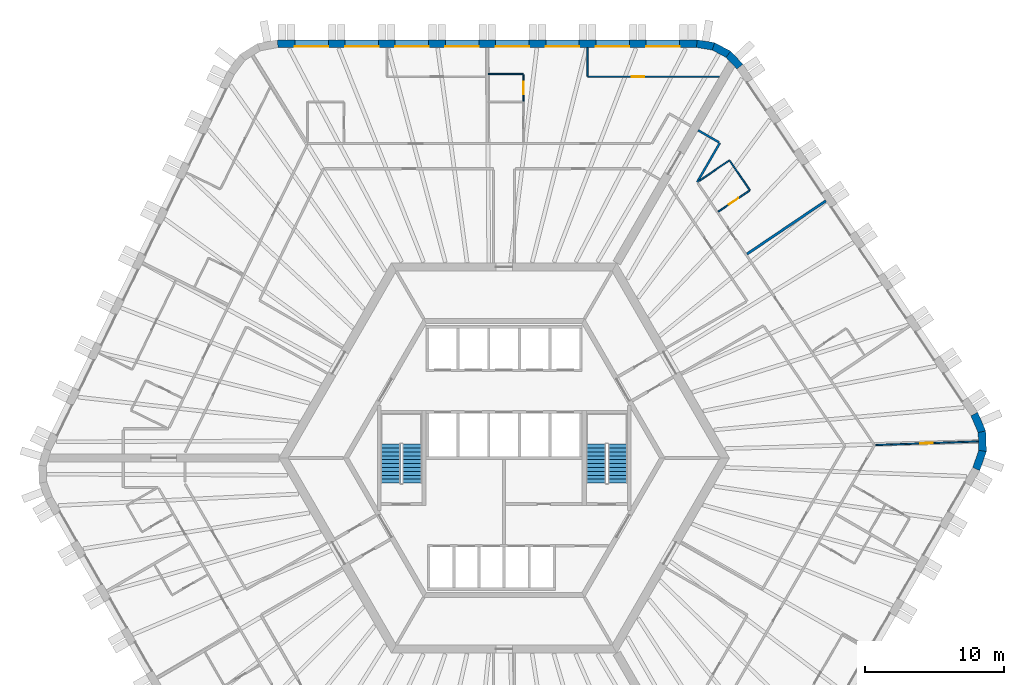
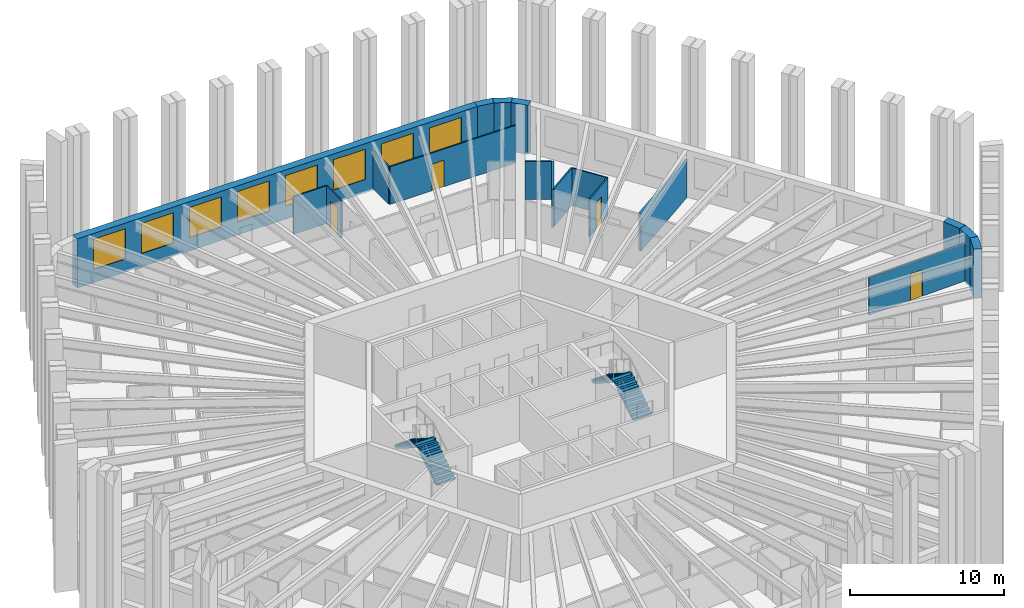
# One storey, part 10 of 12: 18 walls, 8 windows, 4 doors, 4 stair flights, 12 openings, 2 elements without a shape of their own.
"""IFC4 building model written with IfcOpenShell, lengths in metres."""

from ifc_helpers import new_model, si_unit, direction, frame, frame_2d, origin, place, context, subcontext, project, spatial, polyline, rectangle, outline, extrude, material, layer, layer_set, type_object, element, fill, aggregate, save


model = new_model("IFC4")

# Units and contexts
model_context = context("Model", 3, precision=1e-05, world=origin(), true_north=direction((0.0, 1.0)))
body_context = subcontext(model_context, "Body", "Model", "MODEL_VIEW")
ifc_project = project(units=[si_unit("LENGTHUNIT", "METRE"), si_unit("AREAUNIT", "SQUARE_METRE"), si_unit("VOLUMEUNIT", "CUBIC_METRE"), si_unit("PLANEANGLEUNIT", "RADIAN"), si_unit("MASSUNIT", "GRAM", prefix="KILO")], contexts=[model_context])

# Site, building, storey
site_placement = place(None, origin())
site = spatial("IfcSite", under=ifc_project, at=site_placement, CompositionType="ELEMENT")
building_placement = place(site_placement, origin())
building = spatial("IfcBuilding", under=site, at=building_placement, Name="Tarnside Tower", CompositionType="ELEMENT")
storey_placement = place(building_placement, frame((0.0, 0.0, 49.199951171875)))
storey = spatial("IfcBuildingStorey", under=building, at=storey_placement, Name="L09", CompositionType="ELEMENT", Elevation=49.199951171875)

# Walls
ifc_material_1 = material(Name="Gypsum board partition on steel studs", Category="steel")
ifc_layer_1 = layer(ifc_material_1, 0.10009765625)
ifc_layer_set_1 = layer_set([ifc_layer_1], Name="Bathroom wall 100")
wall_type_1 = type_object("IfcWallType", Name="Bathroom wall 100", PredefinedType="PARTITIONING", material=ifc_layer_set_1)
wall_1_placement = place(storey_placement, frame((13.992919921875, 19.886474609375, 0.0), z_axis=(0.0, 0.0, 1.0), x_axis=(0.829009051057, 0.559235186005, 0.0)))
element("IfcWall", 1, at=wall_1_placement, inside=storey, type_object=wall_type_1, Name="Bathroom wall 02151", PredefinedType="PARTITIONING", context=body_context, shape_type="SweptSolid", body=[
    extrude(rectangle(XDim=2.62890625, YDim=0.10009765625, at=frame_2d((1.314453125, 0.0))), origin(), (0.0, 0.0, 1.0), 2.98779296875),
])
wall_2_placement = place(storey_placement, frame((16.200439453125, 21.315185546875, 0.0), z_axis=(0.0, 0.0, 1.0), x_axis=(0.559155442782, -0.829062838878, 0.0)))
element("IfcWall", 2, at=wall_2_placement, inside=storey, type_object=wall_type_1, Name="Bathroom wall 02152", PredefinedType="PARTITIONING", context=body_context, shape_type="SweptSolid", body=[
    extrude(rectangle(XDim=2.5498046875, YDim=0.10009765625, at=frame_2d((1.27490234375, 0.0))), origin(), (0.0, 0.0, 1.0), 2.98779296875),
])

# Wall, opening, door
wall_3_placement = place(storey_placement, frame((17.5849609375, 19.173095703125, 0.0), z_axis=(0.0, 0.0, 1.0), x_axis=(-0.82904753069, -0.559178139645, 0.0)))
wall_3 = element("IfcWall", 3, at=wall_3_placement, inside=storey, type_object=wall_type_1, Name="Bathroom wall 02153", PredefinedType="PARTITIONING", context=body_context, shape_type="SweptSolid", body=[
    extrude(rectangle(XDim=2.675048828125, YDim=0.10009765625, at=frame_2d((1.33740234375, 0.0))), origin(), (0.0, 0.0, 1.0), 2.98779296875),
])
opening_1_placement = place(wall_3_placement, frame((0.949951171875, 0.0, 0.0)))
opening_1 = element("IfcOpeningElement", 4, at=opening_1_placement, cuts=wall_3, Name="Opening D-B1", PredefinedType="OPENING", context=body_context, shape_type="SweptSolid", body=[
    extrude(rectangle(XDim=0.800048828125, YDim=2.10009765625, at=frame_2d((0.39990234375, 1.050048828125))), frame((0.0, 0.06005859375, 0.0), z_axis=(0.0, -1.0, 0.0), x_axis=(1.0, 0.0, 0.0)), (0.0, 0.0, 1.0), 0.1201171875),
])
ifc_material_2 = material(Name="Timber door leaf", Category="wood")
door_type_1 = type_object("IfcDoorType", Name="Bathroom door 800", OperationType="NOTDEFINED", PredefinedType="DOOR", material=ifc_material_2)
door_1_placement = place(opening_1_placement, origin())
door_1 = element("IfcDoor", 5, at=door_1_placement, inside=storey, type_object=door_type_1, Name="Bathroom door 02040", OperationType="SINGLE_SWING_RIGHT", OverallHeight=2.10009765625, OverallWidth=0.800048828125, PredefinedType="DOOR", context=body_context, shape_type="SweptSolid", body=[
    extrude(rectangle(XDim=0.800048828125, YDim=2.10009765625, at=frame_2d((0.39990234375, 1.050048828125))), frame((0.0, 0.02490234375, 0.0), z_axis=(0.0, -1.0, 0.0), x_axis=(1.0, 0.0, 0.0)), (0.0, 0.0, 1.0), 0.050048828125),
])
fill(opening_1, door_1)

# Walls
ifc_layer_2 = layer(ifc_material_1, 0.14990234375)
ifc_layer_set_2 = layer_set([ifc_layer_2], Name="Corridor wall 150 EI 60")
wall_type_2 = type_object("IfcWallType", Name="Corridor wall 150 EI 60", PredefinedType="PARTITIONING", material=ifc_layer_set_2)
wall_4_placement = place(storey_placement, frame((13.85107421875, 19.790771484375, 0.0), z_axis=(0.0, 0.0, 1.0), x_axis=(0.499986449875, 0.866033226812, 0.0)))
element("IfcWall", 6, at=wall_4_placement, inside=storey, type_object=wall_type_2, Name="Corridor wall 02059", PredefinedType="PARTITIONING", context=body_context, shape_type="SweptSolid", body=[
    extrude(rectangle(XDim=3.25537109375, YDim=0.14990234375, at=frame_2d((1.627685546875, 0.0))), origin(), (0.0, 0.0, 1.0), 2.98779296875),
])
wall_5_placement = place(storey_placement, frame((15.413818359375, 22.647705078125, 0.0), z_axis=(0.0, 0.0, 1.0), x_axis=(-0.866074815912, 0.499914405916, 0.0)))
element("IfcWall", 7, at=wall_5_placement, inside=storey, type_object=wall_type_2, Name="Corridor wall 02060", PredefinedType="PARTITIONING", context=body_context, shape_type="SweptSolid", body=[
    extrude(rectangle(XDim=1.724853515625, YDim=0.14990234375, at=frame_2d((0.8623046875, 0.0))), origin(), (0.0, 0.0, 1.0), 2.98779296875),
])
ifc_layer_3 = layer(ifc_material_1, 0.179931640625)
ifc_layer_set_3 = layer_set([ifc_layer_3], Name="Demising wall 180 EI 60")
wall_type_3 = type_object("IfcWallType", Name="Demising wall 180 EI 60", PredefinedType="PARTITIONING", material=ifc_layer_set_3)
wall_6_placement = place(storey_placement, frame((23.079345703125, 18.44873046875, 0.0), z_axis=(0.0, 0.0, 1.0), x_axis=(-0.829044361536, -0.559182838261, 0.0)))
element("IfcWall", 8, at=wall_6_placement, inside=storey, type_object=wall_type_3, Name="Demising wall 02150", PredefinedType="PARTITIONING", context=body_context, shape_type="SweptSolid", body=[
    extrude(rectangle(XDim=6.824951171875, YDim=0.179931640625, at=frame_2d((3.41259765625, 0.0))), origin(), (0.0, 0.0, 1.0), 2.98779296875),
])
ifc_layer_4 = layer(ifc_material_1, 0.10009765625)
ifc_layer_set_4 = layer_set([ifc_layer_4], Name="Partition 100")
wall_type_4 = type_object("IfcWallType", Name="Partition 100", PredefinedType="PARTITIONING", material=ifc_layer_set_4)
wall_7_placement = place(storey_placement, frame((-1.12109375, 27.550048828125, 0.0), z_axis=(0.0, 0.0, 1.0), x_axis=(1.0, 0.0, 0.0)))
element("IfcWall", 9, at=wall_7_placement, inside=storey, type_object=wall_type_4, Name="Partition wall 02073", PredefinedType="PARTITIONING", context=body_context, shape_type="SweptSolid", body=[
    extrude(rectangle(XDim=2.510009765625, YDim=0.10009765625, at=frame_2d((1.2548828125, 0.0))), origin(), (0.0, 0.0, 1.0), 2.98779296875),
])

# Wall, opening, door
wall_8_placement = place(storey_placement, frame((1.388916015625, 27.5, 0.0), z_axis=(0.0, 0.0, 1.0), x_axis=(0.0, -1.0, 0.0)))
wall_8 = element("IfcWall", 10, at=wall_8_placement, inside=storey, type_object=wall_type_4, Name="Partition wall 02074", PredefinedType="PARTITIONING", context=body_context, shape_type="SweptSolid", body=[
    extrude(rectangle(XDim=1.89990234375, YDim=0.10009765625, at=frame_2d((0.949951171875, 0.0))), origin(), (0.0, 0.0, 1.0), 2.98779296875),
])
opening_2_placement = place(wall_8_placement, frame((0.5, 0.0, 0.0)))
opening_2 = element("IfcOpeningElement", 11, at=opening_2_placement, cuts=wall_8, Name="Opening D-I1", PredefinedType="OPENING", context=body_context, shape_type="SweptSolid", body=[
    extrude(rectangle(XDim=0.89990234375, YDim=2.10009765625, at=frame_2d((0.449951171875, 1.050048828125))), frame((0.0, 0.06005859375, 0.0), z_axis=(0.0, -1.0, 0.0), x_axis=(1.0, 0.0, 0.0)), (0.0, 0.0, 1.0), 0.1201171875),
])
door_type_2 = type_object("IfcDoorType", Name="Internal door 900", OperationType="NOTDEFINED", PredefinedType="DOOR", material=ifc_material_2)
door_2_placement = place(opening_2_placement, origin())
door_2 = element("IfcDoor", 12, at=door_2_placement, inside=storey, type_object=door_type_2, Name="Internal door 02003", OperationType="SINGLE_SWING_RIGHT", OverallHeight=2.10009765625, OverallWidth=0.89990234375, PredefinedType="DOOR", context=body_context, shape_type="SweptSolid", body=[
    extrude(rectangle(XDim=0.89990234375, YDim=2.10009765625, at=frame_2d((0.449951171875, 1.050048828125))), frame((0.0, 0.02490234375, 0.0), z_axis=(0.0, -1.0, 0.0), x_axis=(1.0, 0.0, 0.0)), (0.0, 0.0, 1.0), 0.050048828125),
])
fill(opening_2, door_2)

wall_9_placement = place(storey_placement, frame((15.444091796875, 27.35009765625, 0.0), z_axis=(0.0, 0.0, 1.0), x_axis=(-1.0, 0.0, 0.0)))
wall_9 = element("IfcWall", 13, at=wall_9_placement, inside=storey, type_object=wall_type_4, Name="Partition wall 02075", PredefinedType="PARTITIONING", context=body_context, shape_type="SweptSolid", body=[
    extrude(rectangle(XDim=9.455078125, YDim=0.10009765625, at=frame_2d((4.7275390625, 0.0))), origin(), (0.0, 0.0, 1.0), 2.98779296875),
])
opening_3_placement = place(wall_9_placement, frame((5.4052734375, 0.0, 0.0)))
opening_3 = element("IfcOpeningElement", 14, at=opening_3_placement, cuts=wall_9, Name="Opening D-I1", PredefinedType="OPENING", context=body_context, shape_type="SweptSolid", body=[
    extrude(rectangle(XDim=0.89990234375, YDim=2.10009765625, at=frame_2d((0.449951171875, 1.050048828125))), frame((0.0, 0.06005859375, 0.0), z_axis=(0.0, -1.0, 0.0), x_axis=(1.0, 0.0, 0.0)), (0.0, 0.0, 1.0), 0.1201171875),
])
door_3_placement = place(opening_3_placement, origin())
door_3 = element("IfcDoor", 15, at=door_3_placement, inside=storey, type_object=door_type_2, Name="Internal door 02004", OperationType="SINGLE_SWING_LEFT", OverallHeight=2.10009765625, OverallWidth=0.89990234375, PredefinedType="DOOR", context=body_context, shape_type="SweptSolid", body=[
    extrude(rectangle(XDim=0.89990234375, YDim=2.10009765625, at=frame_2d((0.449951171875, 1.050048828125))), frame((0.0, 0.02490234375, 0.0), z_axis=(0.0, -1.0, 0.0), x_axis=(1.0, 0.0, 0.0)), (0.0, 0.0, 1.0), 0.050048828125),
])
fill(opening_3, door_3)

# Wall
wall_10_placement = place(storey_placement, frame((5.989013671875, 27.39990234375, 0.0), z_axis=(0.0, 0.0, 1.0), x_axis=(0.0, 1.0, 0.0)))
element("IfcWall", 16, at=wall_10_placement, inside=storey, type_object=wall_type_4, Name="Partition wall 02076", PredefinedType="PARTITIONING", context=body_context, shape_type="SweptSolid", body=[
    extrude(rectangle(XDim=2.050048828125, YDim=0.10009765625, at=frame_2d((1.02490234375, 0.0))), origin(), (0.0, 0.0, 1.0), 2.98779296875),
])

# Wall, opening, door
wall_11_placement = place(storey_placement, frame((34.0234375, 1.188232421875, 0.0), z_axis=(0.0, 0.0, 1.0), x_axis=(-0.999390666539, -0.034904091936, 0.0)))
wall_11 = element("IfcWall", 17, at=wall_11_placement, inside=storey, type_object=wall_type_4, Name="Partition wall 02144", PredefinedType="PARTITIONING", context=body_context, shape_type="SweptSolid", body=[
    extrude(rectangle(XDim=7.365234375, YDim=0.10009765625, at=frame_2d((3.6826171875, 0.0))), origin(), (0.0, 0.0, 1.0), 2.98779296875),
])
opening_4_placement = place(wall_11_placement, frame((3.27685546875, 0.0, 0.0)))
opening_4 = element("IfcOpeningElement", 18, at=opening_4_placement, cuts=wall_11, Name="Opening D-I1", PredefinedType="OPENING", context=body_context, shape_type="SweptSolid", body=[
    extrude(rectangle(XDim=0.89990234375, YDim=2.10009765625, at=frame_2d((0.449951171875, 1.050048828125))), frame((0.0, 0.06005859375, 0.0), z_axis=(0.0, -1.0, 0.0), x_axis=(1.0, 0.0, 0.0)), (0.0, 0.0, 1.0), 0.1201171875),
])
door_4_placement = place(opening_4_placement, origin())
door_4 = element("IfcDoor", 19, at=door_4_placement, inside=storey, type_object=door_type_2, Name="Internal door 02036", OperationType="SINGLE_SWING_LEFT", OverallHeight=2.10009765625, OverallWidth=0.89990234375, PredefinedType="DOOR", context=body_context, shape_type="SweptSolid", body=[
    extrude(rectangle(XDim=0.89990234375, YDim=2.10009765625, at=frame_2d((0.449951171875, 1.050048828125))), frame((0.0, 0.02490234375, 0.0), z_axis=(0.0, -1.0, 0.0), x_axis=(1.0, 0.0, 0.0)), (0.0, 0.0, 1.0), 0.050048828125),
])
fill(opening_4, door_4)

# Wall, openings, windows
ifc_material_3 = material(Name="Facing brick", Category="masonry")
ifc_layer_5 = layer(ifc_material_3, 0.10205078125)
ifc_material_4 = material(Name="Concrete C60/75 precast", Category="concrete")
ifc_layer_6 = layer(ifc_material_4, 0.347900390625)
ifc_material_5 = material(Name="Mineral wool insulation")
ifc_layer_7 = layer(ifc_material_5, 0.10009765625)
ifc_layer_set_5 = layer_set([ifc_layer_5, ifc_layer_6, ifc_layer_7], Name="Tube wall 550 brick faced")
wall_type_5 = type_object("IfcWallType", Name="Tube wall 550 brick faced", PredefinedType="SOLIDWALL", material=ifc_layer_set_5)
wall_12_placement = place(storey_placement, frame((13.824462890625, 29.72509765625, -0.14990234375), z_axis=(0.0, 0.0, 1.0), x_axis=(-1.0, 0.0, 0.0)))
wall_12 = element("IfcWall", 20, at=wall_12_placement, inside=storey, type_object=wall_type_5, Name="Tube wall L09 F1 flush 00", PredefinedType="SOLIDWALL", context=body_context, shape_type="SweptSolid", body=[
    extrude(outline(polyline([(-0.0224609375, -0.27490234375), (30.0966796875, -0.27490234375), (30.04541015625, 0.27490234375), (0.0224609375, 0.27490234375), (-0.0224609375, -0.27490234375)])), origin(), (0.0, 0.0, 1.0), 3.89990234375),
])
opening_5_placement = place(wall_12_placement, frame((1.235595703125, 0.0, 1.050048828125)))
opening_5 = element("IfcOpeningElement", 21, at=opening_5_placement, cuts=wall_12, Name="Opening WH", PredefinedType="OPENING", context=body_context, shape_type="SweptSolid", body=[
    extrude(rectangle(XDim=2.39990234375, YDim=2.39990234375, at=frame_2d((1.199951171875, 1.199951171875))), frame((0.0, 0.28515625, 0.0), z_axis=(0.0, -1.0, 0.0), x_axis=(1.0, 0.0, 0.0)), (0.0, 0.0, 1.0), 0.570068359375),
])
opening_6_placement = place(wall_12_placement, frame((4.83544921875, 0.0, 1.050048828125)))
opening_6 = element("IfcOpeningElement", 22, at=opening_6_placement, cuts=wall_12, Name="Opening WH", PredefinedType="OPENING", context=body_context, shape_type="SweptSolid", body=[
    extrude(rectangle(XDim=2.39990234375, YDim=2.39990234375, at=frame_2d((1.199951171875, 1.199951171875))), frame((0.0, 0.28515625, 0.0), z_axis=(0.0, -1.0, 0.0), x_axis=(1.0, 0.0, 0.0)), (0.0, 0.0, 1.0), 0.570068359375),
])
opening_7_placement = place(wall_12_placement, frame((8.435546875, 0.0, 1.050048828125)))
opening_7 = element("IfcOpeningElement", 23, at=opening_7_placement, cuts=wall_12, Name="Opening WH", PredefinedType="OPENING", context=body_context, shape_type="SweptSolid", body=[
    extrude(rectangle(XDim=2.39990234375, YDim=2.39990234375, at=frame_2d((1.199951171875, 1.199951171875))), frame((0.0, 0.28515625, 0.0), z_axis=(0.0, -1.0, 0.0), x_axis=(1.0, 0.0, 0.0)), (0.0, 0.0, 1.0), 0.570068359375),
])
opening_8_placement = place(wall_12_placement, frame((12.035400390625, 0.0, 1.050048828125)))
opening_8 = element("IfcOpeningElement", 24, at=opening_8_placement, cuts=wall_12, Name="Opening WH", PredefinedType="OPENING", context=body_context, shape_type="SweptSolid", body=[
    extrude(rectangle(XDim=2.39990234375, YDim=2.39990234375, at=frame_2d((1.199951171875, 1.199951171875))), frame((0.0, 0.28515625, 0.0), z_axis=(0.0, -1.0, 0.0), x_axis=(1.0, 0.0, 0.0)), (0.0, 0.0, 1.0), 0.570068359375),
])
opening_9_placement = place(wall_12_placement, frame((15.635498046875, 0.0, 1.050048828125)))
opening_9 = element("IfcOpeningElement", 25, at=opening_9_placement, cuts=wall_12, Name="Opening WH", PredefinedType="OPENING", context=body_context, shape_type="SweptSolid", body=[
    extrude(rectangle(XDim=2.39990234375, YDim=2.39990234375, at=frame_2d((1.199951171875, 1.199951171875))), frame((0.0, 0.28515625, 0.0), z_axis=(0.0, -1.0, 0.0), x_axis=(1.0, 0.0, 0.0)), (0.0, 0.0, 1.0), 0.570068359375),
])
opening_10_placement = place(wall_12_placement, frame((19.235595703125, 0.0, 1.050048828125)))
opening_10 = element("IfcOpeningElement", 26, at=opening_10_placement, cuts=wall_12, Name="Opening WH", PredefinedType="OPENING", context=body_context, shape_type="SweptSolid", body=[
    extrude(rectangle(XDim=2.39990234375, YDim=2.39990234375, at=frame_2d((1.199951171875, 1.199951171875))), frame((0.0, 0.28515625, 0.0), z_axis=(0.0, -1.0, 0.0), x_axis=(1.0, 0.0, 0.0)), (0.0, 0.0, 1.0), 0.570068359375),
])
opening_11_placement = place(wall_12_placement, frame((22.83544921875, 0.0, 1.050048828125)))
opening_11 = element("IfcOpeningElement", 27, at=opening_11_placement, cuts=wall_12, Name="Opening WH", PredefinedType="OPENING", context=body_context, shape_type="SweptSolid", body=[
    extrude(rectangle(XDim=2.39990234375, YDim=2.39990234375, at=frame_2d((1.199951171875, 1.199951171875))), frame((0.0, 0.28515625, 0.0), z_axis=(0.0, -1.0, 0.0), x_axis=(1.0, 0.0, 0.0)), (0.0, 0.0, 1.0), 0.570068359375),
])
opening_12_placement = place(wall_12_placement, frame((26.435546875, 0.0, 1.050048828125)))
opening_12 = element("IfcOpeningElement", 28, at=opening_12_placement, cuts=wall_12, Name="Opening WH", PredefinedType="OPENING", context=body_context, shape_type="SweptSolid", body=[
    extrude(rectangle(XDim=2.39990234375, YDim=2.39990234375, at=frame_2d((1.199951171875, 1.199951171875))), frame((0.0, 0.28515625, 0.0), z_axis=(0.0, -1.0, 0.0), x_axis=(1.0, 0.0, 0.0)), (0.0, 0.0, 1.0), 0.570068359375),
])
ifc_material_6 = material(Name="Aluminium-framed double glazing", Category="aluminium")
window_type = type_object("IfcWindowType", Name="Hotel window 2400 x 2400", PartitioningType="DOUBLE_PANEL_VERTICAL", PredefinedType="WINDOW", material=ifc_material_6)
window_1_placement = place(opening_5_placement, frame((0.0, 0.205078125, 0.0)))
window_1 = element("IfcWindow", 29, at=window_1_placement, inside=storey, type_object=window_type, Name="E.WN.L09.F1.00", OverallHeight=2.39990234375, OverallWidth=2.39990234375, PartitioningType="DOUBLE_PANEL_VERTICAL", PredefinedType="WINDOW", context=body_context, shape_type="SweptSolid", body=[
    extrude(rectangle(XDim=2.39990234375, YDim=2.39990234375, at=frame_2d((1.199951171875, 1.199951171875))), frame((0.0, 0.030029296875, 0.0), z_axis=(0.0, -1.0, 0.0), x_axis=(1.0, 0.0, 0.0)), (0.0, 0.0, 1.0), 0.06005859375),
])
fill(opening_5, window_1)
window_2_placement = place(opening_6_placement, frame((0.0, 0.205078125, 0.0)))
window_2 = element("IfcWindow", 30, at=window_2_placement, inside=storey, type_object=window_type, Name="E.WN.L09.F1.01", OverallHeight=2.39990234375, OverallWidth=2.39990234375, PartitioningType="DOUBLE_PANEL_VERTICAL", PredefinedType="WINDOW", context=body_context, shape_type="SweptSolid", body=[
    extrude(rectangle(XDim=2.39990234375, YDim=2.39990234375, at=frame_2d((1.199951171875, 1.199951171875))), frame((0.0, 0.030029296875, 0.0), z_axis=(0.0, -1.0, 0.0), x_axis=(1.0, 0.0, 0.0)), (0.0, 0.0, 1.0), 0.06005859375),
])
fill(opening_6, window_2)
window_3_placement = place(opening_7_placement, frame((0.0, 0.205078125, 0.0)))
window_3 = element("IfcWindow", 31, at=window_3_placement, inside=storey, type_object=window_type, Name="E.WN.L09.F1.02", OverallHeight=2.39990234375, OverallWidth=2.39990234375, PartitioningType="DOUBLE_PANEL_VERTICAL", PredefinedType="WINDOW", context=body_context, shape_type="SweptSolid", body=[
    extrude(rectangle(XDim=2.39990234375, YDim=2.39990234375, at=frame_2d((1.199951171875, 1.199951171875))), frame((0.0, 0.030029296875, 0.0), z_axis=(0.0, -1.0, 0.0), x_axis=(1.0, 0.0, 0.0)), (0.0, 0.0, 1.0), 0.06005859375),
])
fill(opening_7, window_3)
window_4_placement = place(opening_8_placement, frame((0.0, 0.205078125, 0.0)))
window_4 = element("IfcWindow", 32, at=window_4_placement, inside=storey, type_object=window_type, Name="E.WN.L09.F1.03", OverallHeight=2.39990234375, OverallWidth=2.39990234375, PartitioningType="DOUBLE_PANEL_VERTICAL", PredefinedType="WINDOW", context=body_context, shape_type="SweptSolid", body=[
    extrude(rectangle(XDim=2.39990234375, YDim=2.39990234375, at=frame_2d((1.199951171875, 1.199951171875))), frame((0.0, 0.030029296875, 0.0), z_axis=(0.0, -1.0, 0.0), x_axis=(1.0, 0.0, 0.0)), (0.0, 0.0, 1.0), 0.06005859375),
])
fill(opening_8, window_4)
window_5_placement = place(opening_9_placement, frame((0.0, 0.205078125, 0.0)))
window_5 = element("IfcWindow", 33, at=window_5_placement, inside=storey, type_object=window_type, Name="E.WN.L09.F1.04", OverallHeight=2.39990234375, OverallWidth=2.39990234375, PartitioningType="DOUBLE_PANEL_VERTICAL", PredefinedType="WINDOW", context=body_context, shape_type="SweptSolid", body=[
    extrude(rectangle(XDim=2.39990234375, YDim=2.39990234375, at=frame_2d((1.199951171875, 1.199951171875))), frame((0.0, 0.030029296875, 0.0), z_axis=(0.0, -1.0, 0.0), x_axis=(1.0, 0.0, 0.0)), (0.0, 0.0, 1.0), 0.06005859375),
])
fill(opening_9, window_5)
window_6_placement = place(opening_10_placement, frame((0.0, 0.205078125, 0.0)))
window_6 = element("IfcWindow", 34, at=window_6_placement, inside=storey, type_object=window_type, Name="E.WN.L09.F1.05", OverallHeight=2.39990234375, OverallWidth=2.39990234375, PartitioningType="DOUBLE_PANEL_VERTICAL", PredefinedType="WINDOW", context=body_context, shape_type="SweptSolid", body=[
    extrude(rectangle(XDim=2.39990234375, YDim=2.39990234375, at=frame_2d((1.199951171875, 1.199951171875))), frame((0.0, 0.030029296875, 0.0), z_axis=(0.0, -1.0, 0.0), x_axis=(1.0, 0.0, 0.0)), (0.0, 0.0, 1.0), 0.06005859375),
])
fill(opening_10, window_6)
window_7_placement = place(opening_11_placement, frame((0.0, 0.205078125, 0.0)))
window_7 = element("IfcWindow", 35, at=window_7_placement, inside=storey, type_object=window_type, Name="E.WN.L09.F1.06", OverallHeight=2.39990234375, OverallWidth=2.39990234375, PartitioningType="DOUBLE_PANEL_VERTICAL", PredefinedType="WINDOW", context=body_context, shape_type="SweptSolid", body=[
    extrude(rectangle(XDim=2.39990234375, YDim=2.39990234375, at=frame_2d((1.199951171875, 1.199951171875))), frame((0.0, 0.030029296875, 0.0), z_axis=(0.0, -1.0, 0.0), x_axis=(1.0, 0.0, 0.0)), (0.0, 0.0, 1.0), 0.06005859375),
])
fill(opening_11, window_7)
window_8_placement = place(opening_12_placement, frame((0.0, 0.205078125, 0.0)))
window_8 = element("IfcWindow", 36, at=window_8_placement, inside=storey, type_object=window_type, Name="E.WN.L09.F1.07", OverallHeight=2.39990234375, OverallWidth=2.39990234375, PartitioningType="DOUBLE_PANEL_VERTICAL", PredefinedType="WINDOW", context=body_context, shape_type="SweptSolid", body=[
    extrude(rectangle(XDim=2.39990234375, YDim=2.39990234375, at=frame_2d((1.199951171875, 1.199951171875))), frame((0.0, 0.030029296875, 0.0), z_axis=(0.0, -1.0, 0.0), x_axis=(1.0, 0.0, 0.0)), (0.0, 0.0, 1.0), 0.06005859375),
])
fill(opening_12, window_8)

# Walls
wall_13_placement = place(storey_placement, frame((33.865966796875, -0.79248046875, -0.14990234375), z_axis=(0.0, 0.0, 1.0), x_axis=(0.33111537203, 0.943590276765, 0.0)))
element("IfcWall", 37, at=wall_13_placement, inside=storey, type_object=wall_type_5, Name="Tube wall L09 F5 chord 17", PredefinedType="SOLIDWALL", context=body_context, shape_type="SweptSolid", body=[
    extrude(outline(polyline([(-0.025634765625, -0.27490234375), (1.4306640625, -0.27490234375), (1.3271484375, 0.27490234375), (0.025634765625, 0.27490234375), (-0.025634765625, -0.27490234375)])), origin(), (0.0, 0.0, 1.0), 3.89990234375),
])
wall_14_placement = place(storey_placement, frame((34.322509765625, 0.508544921875, -0.14990234375), z_axis=(0.0, 0.0, 1.0), x_axis=(-0.034876908462, 0.999391615562, 0.0)))
element("IfcWall", 38, at=wall_14_placement, inside=storey, type_object=wall_type_5, Name="Tube wall L09 F5 chord 18", PredefinedType="SOLIDWALL", context=body_context, shape_type="SweptSolid", body=[
    extrude(outline(polyline([(-0.0517578125, -0.27490234375), (1.4306640625, -0.27490234375), (1.3271484375, 0.27490234375), (0.0517578125, 0.27490234375), (-0.0517578125, -0.27490234375)])), origin(), (0.0, 0.0, 1.0), 3.89990234375),
])
wall_15_placement = place(storey_placement, frame((34.2744140625, 1.88671875, -0.14990234375), z_axis=(0.0, 0.0, 1.0), x_axis=(-0.396161342798, 0.918180913803, 0.0)))
element("IfcWall", 39, at=wall_15_placement, inside=storey, type_object=wall_type_5, Name="Tube wall L09 F5 chord 19", PredefinedType="SOLIDWALL", context=body_context, shape_type="SweptSolid", body=[
    extrude(outline(polyline([(-0.0517578125, -0.27490234375), (1.40478515625, -0.27490234375), (1.353515625, 0.27490234375), (0.0517578125, 0.27490234375), (-0.0517578125, -0.27490234375)])), origin(), (0.0, 0.0, 1.0), 3.89990234375),
])
wall_16_placement = place(storey_placement, frame((16.91259765625, 28.0830078125, -0.14990234375), z_axis=(0.0, 0.0, 1.0), x_axis=(-0.686196220404, 0.727416488061, 0.0)))
element("IfcWall", 40, at=wall_16_placement, inside=storey, type_object=wall_type_5, Name="Tube wall L09 F6 chord 21", PredefinedType="SOLIDWALL", context=body_context, shape_type="SweptSolid", body=[
    extrude(outline(polyline([(-0.0224609375, -0.27490234375), (1.25341796875, -0.27490234375), (1.1630859375, 0.27490234375), (0.0224609375, 0.27490234375), (-0.0224609375, -0.27490234375)])), origin(), (0.0, 0.0, 1.0), 3.89990234375),
])
wall_17_placement = place(storey_placement, frame((16.08349609375, 28.9619140625, -0.14990234375), z_axis=(0.0, 0.0, 1.0), x_axis=(-0.882995347911, 0.469381737574, 0.0)))
element("IfcWall", 41, at=wall_17_placement, inside=storey, type_object=wall_type_5, Name="Tube wall L09 F6 chord 22", PredefinedType="SOLIDWALL", context=body_context, shape_type="SweptSolid", body=[
    extrude(outline(polyline([(-0.045166015625, -0.27490234375), (1.25341796875, -0.27490234375), (1.1630859375, 0.27490234375), (0.045166015625, 0.27490234375), (-0.045166015625, -0.27490234375)])), origin(), (0.0, 0.0, 1.0), 3.89990234375),
])
wall_18_placement = place(storey_placement, frame((15.0166015625, 29.529052734375, -0.14990234375), z_axis=(0.0, 0.0, 1.0), x_axis=(-0.986746625868, 0.162268593195, 0.0)))
element("IfcWall", 42, at=wall_18_placement, inside=storey, type_object=wall_type_5, Name="Tube wall L09 F6 chord 23", PredefinedType="SOLIDWALL", context=body_context, shape_type="SweptSolid", body=[
    extrude(outline(polyline([(-0.045166015625, -0.27490234375), (1.230712890625, -0.27490234375), (1.185791015625, 0.27490234375), (0.045166015625, 0.27490234375), (-0.045166015625, -0.27490234375)])), origin(), (0.0, 0.0, 1.0), 3.89990234375),
])

# Stair, stair flights
ifc_material_7 = material(Name="Concrete C40/50", Category="concrete")
stair_type = type_object("IfcStairType", Name="Exit stair 1400 clear", PredefinedType="HALF_TURN_STAIR", material=ifc_material_7)
stair_1_placement = place(storey_placement, origin())
stair_1 = element("IfcStair", 43, at=stair_1_placement, inside=storey, type_object=stair_type, Name="L09 Exit stair 1", PredefinedType="HALF_TURN_STAIR")
stair_flight_type = type_object("IfcStairFlightType", Name="Exit stair flight 1400", PredefinedType="STRAIGHT", material=ifc_material_7)
stair_flight_1_placement = place(storey_placement, frame((8.14990234375, -1.800048828125, 0.0), z_axis=(0.0, 0.0, 1.0), x_axis=(0.0, 1.0, 0.0)))
stair_flight_1 = element("IfcStairFlight", 44, at=stair_flight_1_placement, type_object=stair_flight_type, Name="ST1 flight 1", NumberOfRisers=11, NumberOfTreads=10, PredefinedType="STRAIGHT", RiserHeight=0.177272727, TreadLength=0.28, context=body_context, shape_type="SweptSolid", body=[
    extrude(outline(polyline([(0.0, 0.0), (0.0, 0.17724609375), (0.280029296875, 0.17724609375), (0.280029296875, 0.3544921875), (0.56005859375, 0.3544921875), (0.56005859375, 0.53173828125), (0.840087890625, 0.53173828125), (0.840087890625, 0.708984375), (1.1201171875, 0.708984375), (1.1201171875, 0.886474609375), (1.39990234375, 0.886474609375), (1.39990234375, 1.063720703125), (1.679931640625, 1.063720703125), (1.679931640625, 1.240966796875), (1.9599609375, 1.240966796875), (1.9599609375, 1.418212890625), (2.239990234375, 1.418212890625), (2.239990234375, 1.595458984375), (2.52001953125, 1.595458984375), (2.52001953125, 1.772705078125), (2.800048828125, 1.772705078125), (2.800048828125, 1.949951171875), (2.800048828125, 1.59521484375), (0.2802734375, 0.0), (0.0, 0.0)])), frame((0.0, 0.699951171875, 0.0), z_axis=(0.0, -1.0, 0.0), x_axis=(1.0, 0.0, 0.0)), (0.0, 0.0, 1.0), 1.39990234375),
])
stair_flight_2_placement = place(storey_placement, frame((6.60009765625, 1.0, 1.949951171875), z_axis=(0.0, 0.0, 1.0), x_axis=(0.0, -1.0, 0.0)))
stair_flight_2 = element("IfcStairFlight", 45, at=stair_flight_2_placement, type_object=stair_flight_type, Name="ST1 flight 2", NumberOfRisers=11, NumberOfTreads=10, PredefinedType="STRAIGHT", RiserHeight=0.177272727, TreadLength=0.28, context=body_context, shape_type="SweptSolid", body=[
    extrude(outline(polyline([(0.0, 0.0), (0.0, 0.17724609375), (0.280029296875, 0.17724609375), (0.280029296875, 0.3544921875), (0.56005859375, 0.3544921875), (0.56005859375, 0.53173828125), (0.840087890625, 0.53173828125), (0.840087890625, 0.708984375), (1.1201171875, 0.708984375), (1.1201171875, 0.886474609375), (1.39990234375, 0.886474609375), (1.39990234375, 1.063720703125), (1.679931640625, 1.063720703125), (1.679931640625, 1.240966796875), (1.9599609375, 1.240966796875), (1.9599609375, 1.418212890625), (2.239990234375, 1.418212890625), (2.239990234375, 1.595458984375), (2.52001953125, 1.595458984375), (2.52001953125, 1.772705078125), (2.800048828125, 1.772705078125), (2.800048828125, 1.949951171875), (2.800048828125, 1.59521484375), (0.2802734375, 0.0), (0.0, 0.0)])), frame((0.0, 0.699951171875, 0.0), z_axis=(0.0, -1.0, 0.0), x_axis=(1.0, 0.0, 0.0)), (0.0, 0.0, 1.0), 1.39990234375),
])
aggregate(stair_1, [stair_flight_1, stair_flight_2])

stair_2_placement = place(storey_placement, origin())
stair_2 = element("IfcStair", 46, at=stair_2_placement, inside=storey, type_object=stair_type, Name="L09 Exit stair 2", PredefinedType="HALF_TURN_STAIR")
stair_flight_3_placement = place(storey_placement, frame((-6.60009765625, -1.800048828125, 0.0), z_axis=(0.0, 0.0, 1.0), x_axis=(0.0, 1.0, 0.0)))
stair_flight_3 = element("IfcStairFlight", 47, at=stair_flight_3_placement, type_object=stair_flight_type, Name="ST2 flight 1", NumberOfRisers=11, NumberOfTreads=10, PredefinedType="STRAIGHT", RiserHeight=0.177272727, TreadLength=0.28, context=body_context, shape_type="SweptSolid", body=[
    extrude(outline(polyline([(0.0, 0.0), (0.0, 0.17724609375), (0.280029296875, 0.17724609375), (0.280029296875, 0.3544921875), (0.56005859375, 0.3544921875), (0.56005859375, 0.53173828125), (0.840087890625, 0.53173828125), (0.840087890625, 0.708984375), (1.1201171875, 0.708984375), (1.1201171875, 0.886474609375), (1.39990234375, 0.886474609375), (1.39990234375, 1.063720703125), (1.679931640625, 1.063720703125), (1.679931640625, 1.240966796875), (1.9599609375, 1.240966796875), (1.9599609375, 1.418212890625), (2.239990234375, 1.418212890625), (2.239990234375, 1.595458984375), (2.52001953125, 1.595458984375), (2.52001953125, 1.772705078125), (2.800048828125, 1.772705078125), (2.800048828125, 1.949951171875), (2.800048828125, 1.59521484375), (0.2802734375, 0.0), (0.0, 0.0)])), frame((0.0, 0.699951171875, 0.0), z_axis=(0.0, -1.0, 0.0), x_axis=(1.0, 0.0, 0.0)), (0.0, 0.0, 1.0), 1.39990234375),
])
stair_flight_4_placement = place(storey_placement, frame((-8.14990234375, 1.0, 1.949951171875), z_axis=(0.0, 0.0, 1.0), x_axis=(0.0, -1.0, 0.0)))
stair_flight_4 = element("IfcStairFlight", 48, at=stair_flight_4_placement, type_object=stair_flight_type, Name="ST2 flight 2", NumberOfRisers=11, NumberOfTreads=10, PredefinedType="STRAIGHT", RiserHeight=0.177272727, TreadLength=0.28, context=body_context, shape_type="SweptSolid", body=[
    extrude(outline(polyline([(0.0, 0.0), (0.0, 0.17724609375), (0.280029296875, 0.17724609375), (0.280029296875, 0.3544921875), (0.56005859375, 0.3544921875), (0.56005859375, 0.53173828125), (0.840087890625, 0.53173828125), (0.840087890625, 0.708984375), (1.1201171875, 0.708984375), (1.1201171875, 0.886474609375), (1.39990234375, 0.886474609375), (1.39990234375, 1.063720703125), (1.679931640625, 1.063720703125), (1.679931640625, 1.240966796875), (1.9599609375, 1.240966796875), (1.9599609375, 1.418212890625), (2.239990234375, 1.418212890625), (2.239990234375, 1.595458984375), (2.52001953125, 1.595458984375), (2.52001953125, 1.772705078125), (2.800048828125, 1.772705078125), (2.800048828125, 1.949951171875), (2.800048828125, 1.59521484375), (0.2802734375, 0.0), (0.0, 0.0)])), frame((0.0, 0.699951171875, 0.0), z_axis=(0.0, -1.0, 0.0), x_axis=(1.0, 0.0, 0.0)), (0.0, 0.0, 1.0), 1.39990234375),
])
aggregate(stair_2, [stair_flight_3, stair_flight_4])

save(model, "model.ifc")
